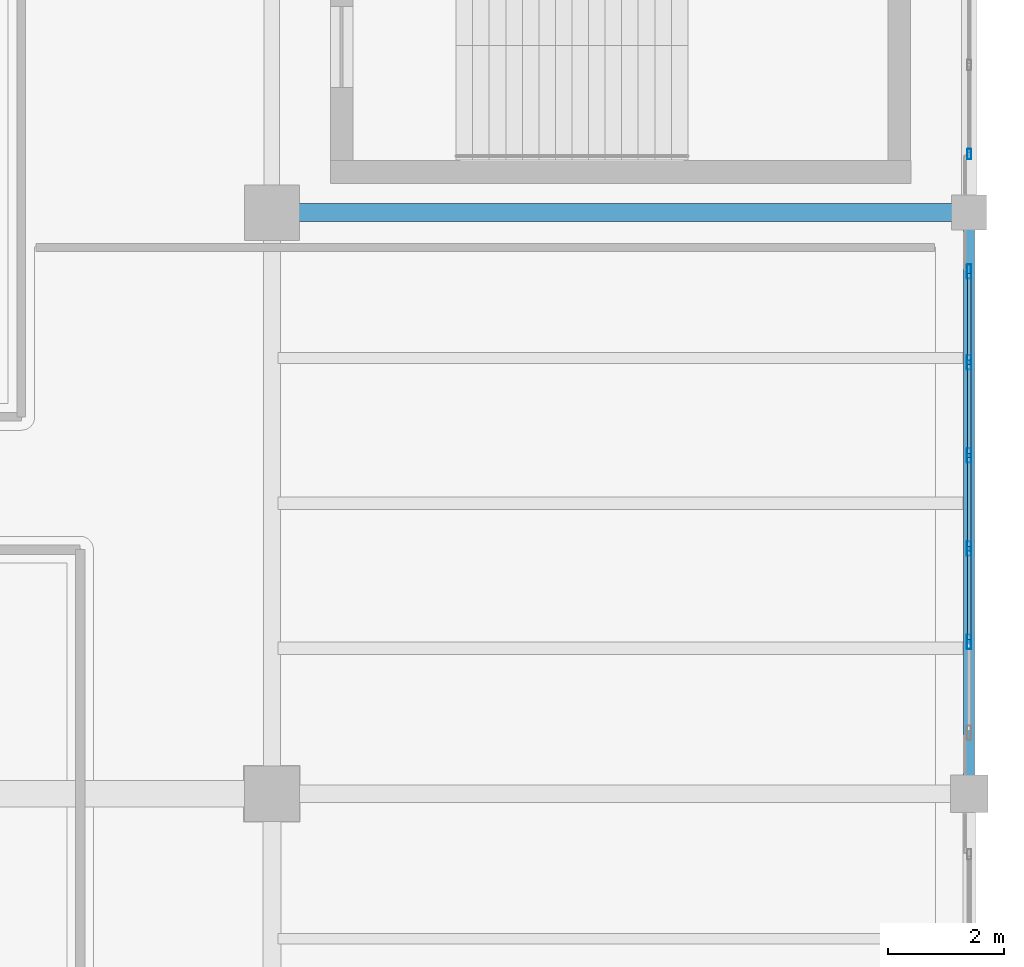
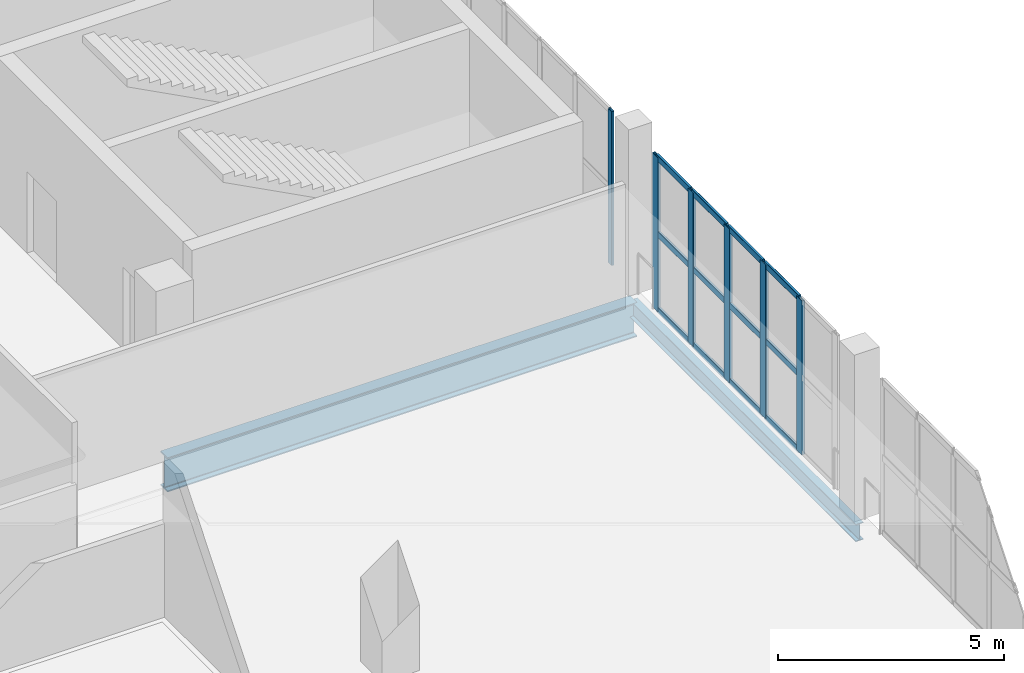
# One storey, part 41 of 90: 18 members, 2 beams, 2 elements without a shape of their own.
"""IFC4 building model written with IfcOpenShell, lengths in metres."""

import ifcopenshell
import ifcopenshell.guid

model = None  # the IFC model being written
_history = None  # IfcOwnerHistory: only IFC2X3 demands one
_inside = {}  # id of a spatial element -> (the spatial element, [elements in it])
_under = {}  # id of a project, library or spatial element -> (it, [spatial elements below it])
_declared = {}  # id of a project -> (the project, [libraries it declares])
_typed = {}  # id of a type object -> (the type object, [elements of that type])
_made_of = {}  # id of a material, layer set ... -> (it, [elements and type objects made of it])


def new_model(schema):
    """Start an empty IFC model of exactly this schema.

    Asked for "IFC4X3", IfcOpenShell would pick the latest addendum, in which some entities
    have other attributes; the version numbers below select the first issue.
    IFC2X3 requires an IfcOwnerHistory on every rooted entity: one is made here for all.
    """
    global model, _history
    if schema == "IFC4X3":
        model = ifcopenshell.file(schema_version=(4, 3, 0, 0))
    else:
        model = ifcopenshell.file(schema=schema)
    _inside.clear()
    _under.clear()
    _declared.clear()
    _typed.clear()
    _made_of.clear()
    _history = None
    if model.schema == "IFC2X3":
        org = make("IfcOrganization", Name="unknown")
        user = make(
            "IfcPersonAndOrganization",
            ThePerson=make("IfcPerson", FamilyName="unknown"),
            TheOrganization=org,
        )
        app = make(
            "IfcApplication",
            ApplicationDeveloper=org,
            Version="unknown",
            ApplicationFullName="unknown",
            ApplicationIdentifier="unknown",
        )
        _history = make(
            "IfcOwnerHistory",
            OwningUser=user,
            OwningApplication=app,
            ChangeAction="ADDED",
            CreationDate=0,
        )
    return model


def make(cls, **values):
    """One entity of the class cls with the attributes given. An attribute that is None is left unset."""
    return model.create_entity(
        cls, **{name: value for name, value in values.items() if value is not None}
    )


def rooted(cls, **values):
    """An entity with a GlobalId (a new one), such as an element, a storey or a relation."""
    return make(cls, GlobalId=ifcopenshell.guid.new(), OwnerHistory=_history, **values)


def si_unit(unit_type, name, prefix=None):
    """IfcSIUnit, for example si_unit("LENGTHUNIT", "METRE", prefix="MILLI")."""
    return make("IfcSIUnit", UnitType=unit_type, Prefix=prefix, Name=name)


def assignment(units):
    """IfcUnitAssignment: the units of a project."""
    return None if units is None else make("IfcUnitAssignment", Units=units)


def point(xyz):
    """IfcCartesianPoint."""
    return None if xyz is None else make("IfcCartesianPoint", Coordinates=xyz)


def direction(xyz):
    """IfcDirection."""
    return None if xyz is None else make("IfcDirection", DirectionRatios=xyz)


def frame(location, z_axis=None, x_axis=None):
    """IfcAxis2Placement3D, a coordinate frame: its origin and axes. An axis left out is left unset."""
    return make(
        "IfcAxis2Placement3D",
        Location=point(location),
        Axis=direction(z_axis),
        RefDirection=direction(x_axis),
    )


def frame_2d(location, x_axis=None):
    """IfcAxis2Placement2D, a coordinate frame in the plane: its origin and x axis."""
    return make(
        "IfcAxis2Placement2D", Location=point(location), RefDirection=direction(x_axis)
    )


def origin():
    """The frame at (0, 0, 0) with its axes left unset."""
    return frame((0.0, 0.0, 0.0))


def origin_2d():
    """The frame at (0, 0) in the plane with its x axis left unset."""
    return frame_2d((0.0, 0.0))


def place(relative_to, where):
    """IfcLocalPlacement: puts the frame where relative to a parent placement (None: the world)."""
    return make(
        "IfcLocalPlacement", PlacementRelTo=relative_to, RelativePlacement=where
    )


def context(
    kind, dimensions, precision=None, world=None, true_north=None, identifier=None
):
    """IfcGeometricRepresentationContext, for example the 3D "Model" context."""
    return make(
        "IfcGeometricRepresentationContext",
        ContextIdentifier=identifier,
        ContextType=kind,
        CoordinateSpaceDimension=dimensions,
        Precision=precision,
        WorldCoordinateSystem=world,
        TrueNorth=true_north,
    )


def subcontext(parent, identifier, kind, view, scale=None):
    """IfcGeometricRepresentationSubContext, for example "Body" below "Model"."""
    return make(
        "IfcGeometricRepresentationSubContext",
        ContextIdentifier=identifier,
        ContextType=kind,
        ParentContext=parent,
        TargetScale=scale,
        TargetView=view,
    )


def project(units=None, contexts=None):
    """IfcProject with its units and contexts."""
    return rooted(
        "IfcProject",
        Name="project",
        RepresentationContexts=contexts,
        UnitsInContext=assignment(units),
    )


def spatial(cls, under=None, at=None, **own):
    """A site, building, storey or space (cls), placed at a placement, below another one or the project."""
    s = rooted(cls, ObjectPlacement=at, **own)
    if under is not None:
        _under.setdefault(under.id(), (under, []))[1].append(s)
    return s


def profile(cls, at=None, kind="AREA", **sizes):
    """A parametric profile (cls). Its sizes go by their IFC names, for example OverallWidth=200.0."""
    return make(cls, ProfileType=kind, Position=at, **sizes)


def hollow_rectangle(**sizes):
    """IfcRectangleHollowProfileDef."""
    return profile("IfcRectangleHollowProfileDef", **sizes)


def i_section(**sizes):
    """IfcIShapeProfileDef."""
    return profile("IfcIShapeProfileDef", **sizes)


def extrude(swept, where, along, depth):
    """IfcExtrudedAreaSolid: the profile swept, set in the frame where, extruded along a direction by depth."""
    return make(
        "IfcExtrudedAreaSolid",
        SweptArea=swept,
        Position=where,
        ExtrudedDirection=direction(along),
        Depth=depth,
    )


def shape(context_of_items, identifier, shape_type, items):
    """IfcShapeRepresentation: the items that make up one representation, for example the "Body"."""
    return make(
        "IfcShapeRepresentation",
        ContextOfItems=context_of_items,
        RepresentationIdentifier=identifier,
        RepresentationType=shape_type,
        Items=items,
    )


def material(Name=None, Category=None):
    """IfcMaterial."""
    return make("IfcMaterial", Name=Name, Category=Category)


def layer(
    of_material, thickness, ventilated=None, Name=None, Category=None, Priority=None
):
    """IfcMaterialLayer: one layer of a wall or slab, of a material (None: an air gap)."""
    return make(
        "IfcMaterialLayer",
        Material=of_material,
        LayerThickness=thickness,
        IsVentilated=ventilated,
        Name=Name,
        Category=Category,
        Priority=Priority,
    )


def layer_set(layers, Name=None):
    """IfcMaterialLayerSet."""
    return make("IfcMaterialLayerSet", MaterialLayers=layers, LayerSetName=Name)


def material_profile(
    of_material, cross_section, Name=None, Category=None, Priority=None
):
    """IfcMaterialProfile: a cross section and its material."""
    return make(
        "IfcMaterialProfile",
        Name=Name,
        Material=of_material,
        Profile=cross_section,
        Priority=Priority,
        Category=Category,
    )


def profile_set(profiles, Name=None, composite=None):
    """IfcMaterialProfileSet."""
    return make(
        "IfcMaterialProfileSet",
        Name=Name,
        MaterialProfiles=profiles,
        CompositeProfile=composite,
    )


def made_of(thing, what):
    """Note that an element or type object is made of a material, layer set ...; save() writes the relation."""
    if what is not None:
        _made_of.setdefault(what.id(), (what, []))[1].append(thing)
    return thing


def type_object(cls, material=None, **own):
    """A type object (cls), such as IfcWallType, which elements share."""
    return made_of(rooted(cls, **own), material)


def element(
    cls,
    number,
    at=None,
    inside=None,
    cuts=None,
    type_object=None,
    material=None,
    context=None,
    identifier="Body",
    shape_type=None,
    held_by="IfcProductDefinitionShape",
    body=None,
    shapes=None,
    **own,
):
    """One element of the class cls, such as IfcWall. Its Tag is "e" and its number.

    at: its placement. inside: the storey or other place that contains it. cuts: it is an
    opening in that element (IfcRelVoidsElement). A single representation is given by context,
    identifier, shape_type and body (its items); several are given by shapes. held_by: the class
    of the entity that holds the representations. save() writes the other relations.
    """
    e = rooted(cls, Tag="e%d" % number, ObjectPlacement=at, **own)
    if body is not None:
        shapes = [shape(context, identifier, shape_type, body)]
    if shapes is not None:
        e.Representation = make(held_by, Representations=shapes)
    if inside is not None:
        _inside.setdefault(inside.id(), (inside, []))[1].append(e)
    if cuts is not None:
        rooted(
            "IfcRelVoidsElement", RelatingBuildingElement=cuts, RelatedOpeningElement=e
        )
    if type_object is not None:
        _typed.setdefault(type_object.id(), (type_object, []))[1].append(e)
    return made_of(e, material)


def aggregate(whole, parts):
    """IfcRelAggregates: a whole, such as a stair, and the parts it consists of."""
    return rooted("IfcRelAggregates", RelatingObject=whole, RelatedObjects=parts)


def save(model, path):
    """Write the relations noted so far, then the file.

    IfcRelAggregates (storeys below a building ...), IfcRelContainedInSpatialStructure (elements
    in a storey), IfcRelDefinesByType, IfcRelAssociatesMaterial and IfcRelDeclares: one each for
    every whole, place, type object, material and project.
    """
    for whole, parts in _under.values():
        aggregate(whole, parts)
    for where, things in _inside.values():
        rooted(
            "IfcRelContainedInSpatialStructure",
            RelatedElements=things,
            RelatingStructure=where,
        )
    for kind, things in _typed.values():
        rooted("IfcRelDefinesByType", RelatedObjects=things, RelatingType=kind)
    for what, things in _made_of.values():
        rooted("IfcRelAssociatesMaterial", RelatedObjects=things, RelatingMaterial=what)
    for by, libraries in _declared.values():
        rooted("IfcRelDeclares", RelatingContext=by, RelatedDefinitions=libraries)
    model.write(path)


model = new_model("IFC4")

# Units and contexts
model_context = context("Model", 3, precision=1e-05, world=origin(), true_north=direction((0.0, 1.0)))
body_context = subcontext(model_context, "Body", "Model", "MODEL_VIEW")
ifc_project = project(units=[si_unit("LENGTHUNIT", "METRE"), si_unit("AREAUNIT", "SQUARE_METRE"), si_unit("VOLUMEUNIT", "CUBIC_METRE"), si_unit("PLANEANGLEUNIT", "RADIAN"), si_unit("MASSUNIT", "GRAM", prefix="KILO")], contexts=[model_context])

# Site, building, storey
site_placement = place(None, origin())
site = spatial("IfcSite", under=ifc_project, at=site_placement, CompositionType="ELEMENT")
building_placement = place(site_placement, origin())
building = spatial("IfcBuilding", under=site, at=building_placement, Name="Brinegate Civic Arena", CompositionType="ELEMENT")
storey_placement = place(building_placement, frame((0.0, 0.0, 14.699951171875)))
storey = spatial("IfcBuildingStorey", under=building, at=storey_placement, Name="L03", CompositionType="ELEMENT", Elevation=14.699951171875)

# Curtain wall, member
ifc_material_1 = material(Name="Marine grade aluminium", Category="aluminium")
ifc_layer = layer(ifc_material_1, 0.199951171875, Name="Marine grade aluminium")
ifc_layer_set = layer_set([ifc_layer], Name="Marine grade aluminium")
curtain_wall_type = type_object("IfcCurtainWallType", Name="CW-BOWL-GLAZED-01", PredefinedType="USERDEFINED", material=ifc_layer_set)
curtain_wall_1_placement = place(storey_placement, origin())
curtain_wall_1 = element("IfcCurtainWall", 1, at=curtain_wall_1_placement, inside=storey, type_object=curtain_wall_type, Name="Curtain Wall CWA-116", ObjectType="GLAZED CURTAIN WALL", PredefinedType="USERDEFINED")
ifc_material_profile_1 = material_profile(ifc_material_1, hollow_rectangle(XDim=0.06494140625, YDim=0.179931640625, WallThickness=0.0048828125, InnerFilletRadius=0.00390625, OuterFilletRadius=0.008056640625, at=origin_2d()), Name="MUL65X180")
ifc_profile_set_1 = profile_set([ifc_material_profile_1], Name="Marine grade aluminium")
member_type_1 = type_object("IfcMemberType", Name="CW-MULLION-65X180", PredefinedType="MULLION", material=ifc_profile_set_1)
member_1_placement = place(storey_placement, frame((168.0, 73.006591796875, 0.0), z_axis=(0.0, 0.0, 1.0), x_axis=(-1.0, 0.0, 0.0)))
member_1 = element("IfcMember", 2, at=member_1_placement, type_object=member_type_1, Name="CWA-116 mullion 1", PredefinedType="MULLION", context=body_context, shape_type="SweptSolid", body=[
    extrude(hollow_rectangle(XDim=0.06494140625, YDim=0.179931640625, WallThickness=0.0048828125, InnerFilletRadius=0.00390625, OuterFilletRadius=0.008056640625, at=origin_2d()), origin(), (0.0, 0.0, 1.0), 4.16015625),
])
aggregate(curtain_wall_1, [member_1])

# Curtain wall, members
curtain_wall_2_placement = place(storey_placement, origin())
curtain_wall_2 = element("IfcCurtainWall", 3, at=curtain_wall_2_placement, inside=storey, type_object=curtain_wall_type, Name="Curtain Wall CWA-114", ObjectType="GLAZED CURTAIN WALL", PredefinedType="USERDEFINED")
ifc_material_profile_2 = material_profile(ifc_material_1, hollow_rectangle(XDim=0.074951171875, YDim=0.25, WallThickness=0.006103515625, InnerFilletRadius=0.00390625, OuterFilletRadius=0.008056640625, at=origin_2d()), Name="MUL75X250")
ifc_profile_set_2 = profile_set([ifc_material_profile_2], Name="Marine grade aluminium")
member_type_2 = type_object("IfcMemberType", Name="CW-MULLION-75X250", PredefinedType="MULLION", material=ifc_profile_set_2)
member_2_placement = place(storey_placement, frame((168.0, 64.61328125, 0.0), z_axis=(0.0, 0.0, 1.0), x_axis=(-1.0, 0.0, 0.0)))
member_2 = element("IfcMember", 4, at=member_2_placement, type_object=member_type_2, Name="CWA-114 mullion 2", PredefinedType="MULLION", context=body_context, shape_type="SweptSolid", body=[
    extrude(hollow_rectangle(XDim=0.074951171875, YDim=0.25, WallThickness=0.006103515625, InnerFilletRadius=0.00390625, OuterFilletRadius=0.008056640625, at=origin_2d()), origin(), (0.0, 0.0, 1.0), 4.16015625),
])
member_3_placement = place(storey_placement, frame((168.0, 66.21630859375, 0.0), z_axis=(0.0, 0.0, 1.0), x_axis=(-1.0, 0.0, 0.0)))
member_3 = element("IfcMember", 5, at=member_3_placement, type_object=member_type_2, Name="CWA-114 mullion 3", PredefinedType="MULLION", context=body_context, shape_type="SweptSolid", body=[
    extrude(hollow_rectangle(XDim=0.074951171875, YDim=0.25, WallThickness=0.006103515625, InnerFilletRadius=0.00390625, OuterFilletRadius=0.008056640625, at=origin_2d()), origin(), (0.0, 0.0, 1.0), 4.16015625),
])
member_4_placement = place(storey_placement, frame((168.0, 67.819580078125, 0.0), z_axis=(0.0, 0.0, 1.0), x_axis=(-1.0, 0.0, 0.0)))
member_4 = element("IfcMember", 6, at=member_4_placement, type_object=member_type_2, Name="CWA-114 mullion 4", PredefinedType="MULLION", context=body_context, shape_type="SweptSolid", body=[
    extrude(hollow_rectangle(XDim=0.074951171875, YDim=0.25, WallThickness=0.006103515625, InnerFilletRadius=0.00390625, OuterFilletRadius=0.008056640625, at=origin_2d()), origin(), (0.0, 0.0, 1.0), 4.16015625),
])
member_5_placement = place(storey_placement, frame((168.0, 69.4228515625, 0.0), z_axis=(0.0, 0.0, 1.0), x_axis=(-1.0, 0.0, 0.0)))
member_5 = element("IfcMember", 7, at=member_5_placement, type_object=member_type_2, Name="CWA-114 mullion 5", PredefinedType="MULLION", context=body_context, shape_type="SweptSolid", body=[
    extrude(hollow_rectangle(XDim=0.074951171875, YDim=0.25, WallThickness=0.006103515625, InnerFilletRadius=0.00390625, OuterFilletRadius=0.008056640625, at=origin_2d()), origin(), (0.0, 0.0, 1.0), 4.16015625),
])
member_6_placement = place(storey_placement, frame((168.0, 70.988525390625, 0.0), z_axis=(0.0, 0.0, 1.0), x_axis=(-1.0, 0.0, 0.0)))
member_6 = element("IfcMember", 8, at=member_6_placement, type_object=member_type_2, Name="CWA-114 mullion 6", PredefinedType="MULLION", context=body_context, shape_type="SweptSolid", body=[
    extrude(hollow_rectangle(XDim=0.074951171875, YDim=0.25, WallThickness=0.006103515625, InnerFilletRadius=0.00390625, OuterFilletRadius=0.008056640625, at=origin_2d()), origin(), (0.0, 0.0, 1.0), 4.16015625),
])
ifc_material_profile_3 = material_profile(ifc_material_1, hollow_rectangle(XDim=0.06494140625, YDim=0.1650390625, WallThickness=0.0048828125, InnerFilletRadius=0.00390625, OuterFilletRadius=0.008056640625, at=origin_2d()), Name="TRN65X165")
ifc_profile_set_3 = profile_set([ifc_material_profile_3], Name="Marine grade aluminium")
member_type_3 = type_object("IfcMemberType", Name="CW-TRANSOM-65X165", PredefinedType="USERDEFINED", material=ifc_profile_set_3)
member_7_placement = place(storey_placement, frame((168.0, 64.650634765625, 0.032470703125), z_axis=(0.0, 1.0, 0.0), x_axis=(-1.0, 0.0, 0.0)))
member_7 = element("IfcMember", 9, at=member_7_placement, type_object=member_type_3, Name="CWA-114 transom 2.1", ObjectType="TRANSOM", PredefinedType="USERDEFINED", context=body_context, shape_type="SweptSolid", body=[
    extrude(hollow_rectangle(XDim=0.06494140625, YDim=0.1650390625, WallThickness=0.0048828125, InnerFilletRadius=0.00390625, OuterFilletRadius=0.008056640625, at=origin_2d()), origin(), (0.0, 0.0, 1.0), 1.5283203125),
])
member_8_placement = place(storey_placement, frame((168.0, 64.650634765625, 2.080078125), z_axis=(0.0, 1.0, 0.0), x_axis=(-1.0, 0.0, 0.0)))
member_8 = element("IfcMember", 10, at=member_8_placement, type_object=member_type_3, Name="CWA-114 transom 2.2", ObjectType="TRANSOM", PredefinedType="USERDEFINED", context=body_context, shape_type="SweptSolid", body=[
    extrude(hollow_rectangle(XDim=0.06494140625, YDim=0.1650390625, WallThickness=0.0048828125, InnerFilletRadius=0.00390625, OuterFilletRadius=0.008056640625, at=origin_2d()), origin(), (0.0, 0.0, 1.0), 1.5283203125),
])
member_9_placement = place(storey_placement, frame((168.0, 64.650634765625, 4.12744140625), z_axis=(0.0, 1.0, 0.0), x_axis=(-1.0, 0.0, 0.0)))
member_9 = element("IfcMember", 11, at=member_9_placement, type_object=member_type_3, Name="CWA-114 transom 2.3", ObjectType="TRANSOM", PredefinedType="USERDEFINED", context=body_context, shape_type="SweptSolid", body=[
    extrude(hollow_rectangle(XDim=0.06494140625, YDim=0.1650390625, WallThickness=0.0048828125, InnerFilletRadius=0.00390625, OuterFilletRadius=0.008056640625, at=origin_2d()), origin(), (0.0, 0.0, 1.0), 1.5283203125),
])
member_10_placement = place(storey_placement, frame((168.0, 66.25390625, 0.032470703125), z_axis=(0.0, 1.0, 0.0), x_axis=(-1.0, 0.0, 0.0)))
member_10 = element("IfcMember", 12, at=member_10_placement, type_object=member_type_3, Name="CWA-114 transom 3.1", ObjectType="TRANSOM", PredefinedType="USERDEFINED", context=body_context, shape_type="SweptSolid", body=[
    extrude(hollow_rectangle(XDim=0.06494140625, YDim=0.1650390625, WallThickness=0.0048828125, InnerFilletRadius=0.00390625, OuterFilletRadius=0.008056640625, at=origin_2d()), origin(), (0.0, 0.0, 1.0), 1.528076171875),
])
member_11_placement = place(storey_placement, frame((168.0, 66.25390625, 2.080078125), z_axis=(0.0, 1.0, 0.0), x_axis=(-1.0, 0.0, 0.0)))
member_11 = element("IfcMember", 13, at=member_11_placement, type_object=member_type_3, Name="CWA-114 transom 3.2", ObjectType="TRANSOM", PredefinedType="USERDEFINED", context=body_context, shape_type="SweptSolid", body=[
    extrude(hollow_rectangle(XDim=0.06494140625, YDim=0.1650390625, WallThickness=0.0048828125, InnerFilletRadius=0.00390625, OuterFilletRadius=0.008056640625, at=origin_2d()), origin(), (0.0, 0.0, 1.0), 1.528076171875),
])
member_12_placement = place(storey_placement, frame((168.0, 66.25390625, 4.12744140625), z_axis=(0.0, 1.0, 0.0), x_axis=(-1.0, 0.0, 0.0)))
member_12 = element("IfcMember", 14, at=member_12_placement, type_object=member_type_3, Name="CWA-114 transom 3.3", ObjectType="TRANSOM", PredefinedType="USERDEFINED", context=body_context, shape_type="SweptSolid", body=[
    extrude(hollow_rectangle(XDim=0.06494140625, YDim=0.1650390625, WallThickness=0.0048828125, InnerFilletRadius=0.00390625, OuterFilletRadius=0.008056640625, at=origin_2d()), origin(), (0.0, 0.0, 1.0), 1.528076171875),
])
member_13_placement = place(storey_placement, frame((168.0, 67.857177734375, 0.032470703125), z_axis=(0.0, 1.0, 0.0), x_axis=(-1.0, 0.0, 0.0)))
member_13 = element("IfcMember", 15, at=member_13_placement, type_object=member_type_3, Name="CWA-114 transom 4.1", ObjectType="TRANSOM", PredefinedType="USERDEFINED", context=body_context, shape_type="SweptSolid", body=[
    extrude(hollow_rectangle(XDim=0.06494140625, YDim=0.1650390625, WallThickness=0.0048828125, InnerFilletRadius=0.00390625, OuterFilletRadius=0.008056640625, at=origin_2d()), origin(), (0.0, 0.0, 1.0), 1.528076171875),
])
member_14_placement = place(storey_placement, frame((168.0, 67.857177734375, 2.080078125), z_axis=(0.0, 1.0, 0.0), x_axis=(-1.0, 0.0, 0.0)))
member_14 = element("IfcMember", 16, at=member_14_placement, type_object=member_type_3, Name="CWA-114 transom 4.2", ObjectType="TRANSOM", PredefinedType="USERDEFINED", context=body_context, shape_type="SweptSolid", body=[
    extrude(hollow_rectangle(XDim=0.06494140625, YDim=0.1650390625, WallThickness=0.0048828125, InnerFilletRadius=0.00390625, OuterFilletRadius=0.008056640625, at=origin_2d()), origin(), (0.0, 0.0, 1.0), 1.528076171875),
])
member_15_placement = place(storey_placement, frame((168.0, 67.857177734375, 4.12744140625), z_axis=(0.0, 1.0, 0.0), x_axis=(-1.0, 0.0, 0.0)))
member_15 = element("IfcMember", 17, at=member_15_placement, type_object=member_type_3, Name="CWA-114 transom 4.3", ObjectType="TRANSOM", PredefinedType="USERDEFINED", context=body_context, shape_type="SweptSolid", body=[
    extrude(hollow_rectangle(XDim=0.06494140625, YDim=0.1650390625, WallThickness=0.0048828125, InnerFilletRadius=0.00390625, OuterFilletRadius=0.008056640625, at=origin_2d()), origin(), (0.0, 0.0, 1.0), 1.528076171875),
])
member_16_placement = place(storey_placement, frame((168.0, 69.460205078125, 0.032470703125), z_axis=(0.0, 1.0, 0.0), x_axis=(-1.0, 0.0, 0.0)))
member_16 = element("IfcMember", 18, at=member_16_placement, type_object=member_type_3, Name="CWA-114 transom 5.1", ObjectType="TRANSOM", PredefinedType="USERDEFINED", context=body_context, shape_type="SweptSolid", body=[
    extrude(hollow_rectangle(XDim=0.06494140625, YDim=0.1650390625, WallThickness=0.0048828125, InnerFilletRadius=0.00390625, OuterFilletRadius=0.008056640625, at=origin_2d()), origin(), (0.0, 0.0, 1.0), 1.49072265625),
])
member_17_placement = place(storey_placement, frame((168.0, 69.460205078125, 2.080078125), z_axis=(0.0, 1.0, 0.0), x_axis=(-1.0, 0.0, 0.0)))
member_17 = element("IfcMember", 19, at=member_17_placement, type_object=member_type_3, Name="CWA-114 transom 5.2", ObjectType="TRANSOM", PredefinedType="USERDEFINED", context=body_context, shape_type="SweptSolid", body=[
    extrude(hollow_rectangle(XDim=0.06494140625, YDim=0.1650390625, WallThickness=0.0048828125, InnerFilletRadius=0.00390625, OuterFilletRadius=0.008056640625, at=origin_2d()), origin(), (0.0, 0.0, 1.0), 1.49072265625),
])
member_18_placement = place(storey_placement, frame((168.0, 69.460205078125, 4.12744140625), z_axis=(0.0, 1.0, 0.0), x_axis=(-1.0, 0.0, 0.0)))
member_18 = element("IfcMember", 20, at=member_18_placement, type_object=member_type_3, Name="CWA-114 transom 5.3", ObjectType="TRANSOM", PredefinedType="USERDEFINED", context=body_context, shape_type="SweptSolid", body=[
    extrude(hollow_rectangle(XDim=0.06494140625, YDim=0.1650390625, WallThickness=0.0048828125, InnerFilletRadius=0.00390625, OuterFilletRadius=0.008056640625, at=origin_2d()), origin(), (0.0, 0.0, 1.0), 1.49072265625),
])
aggregate(curtain_wall_2, [member_2, member_3, member_4, member_5, member_6, member_7, member_8, member_9, member_10, member_11, member_12, member_13, member_14, member_15, member_16, member_17, member_18])

# Beams
ifc_material_2 = material(Name="Steel S355", Category="steel")
ifc_material_profile_4 = material_profile(ifc_material_2, i_section(OverallWidth=0.30810546875, OverallDepth=0.927001953125, WebThickness=0.01904296875, FlangeThickness=0.031982421875, FilletRadius=0.02392578125, at=origin_2d()), Name="W920X289")
ifc_profile_set_4 = profile_set([ifc_material_profile_4], Name="Steel S355")
beam_type_1 = type_object("IfcBeamType", Name="GIRDER-W920X289", PredefinedType="BEAM", material=ifc_profile_set_4)
beam_1_placement = place(storey_placement, frame((156.0, 72.0, -0.81298828125), z_axis=(1.0, 0.0, 0.0), x_axis=(0.0, 1.0, 0.0)))
element("IfcBeam", 21, at=beam_1_placement, inside=storey, type_object=beam_type_1, Name="Floor Girder BM-L03-GX-13-07", PredefinedType="BEAM", context=body_context, shape_type="SweptSolid", body=[
    extrude(i_section(OverallWidth=0.30810546875, OverallDepth=0.927001953125, WebThickness=0.01904296875, FlangeThickness=0.031982421875, FilletRadius=0.02392578125, at=origin_2d()), origin(), (0.0, 0.0, 1.0), 12.0),
])
ifc_material_profile_5 = material_profile(ifc_material_2, i_section(OverallWidth=0.193115234375, OverallDepth=0.466064453125, WebThickness=0.010986328125, FlangeThickness=0.01904296875, FilletRadius=0.014892578125, at=origin_2d()), Name="W460X97")
ifc_profile_set_5 = profile_set([ifc_material_profile_5], Name="Steel S355")
beam_type_2 = type_object("IfcBeamType", Name="SPANDREL-W460X97", PredefinedType="SPANDREL", material=ifc_profile_set_5)
beam_2_placement = place(storey_placement, frame((168.0, 62.0, -0.5830078125), z_axis=(0.0, 1.0, 0.0), x_axis=(-1.0, 0.0, 0.0)))
element("IfcBeam", 22, at=beam_2_placement, inside=storey, type_object=beam_type_2, Name="Floor Girder BM-L03-GY-14-06", PredefinedType="SPANDREL", context=body_context, shape_type="SweptSolid", body=[
    extrude(i_section(OverallWidth=0.193115234375, OverallDepth=0.466064453125, WebThickness=0.010986328125, FlangeThickness=0.01904296875, FilletRadius=0.014892578125, at=origin_2d()), origin(), (0.0, 0.0, 1.0), 10.0),
])

save(model, "model.ifc")
